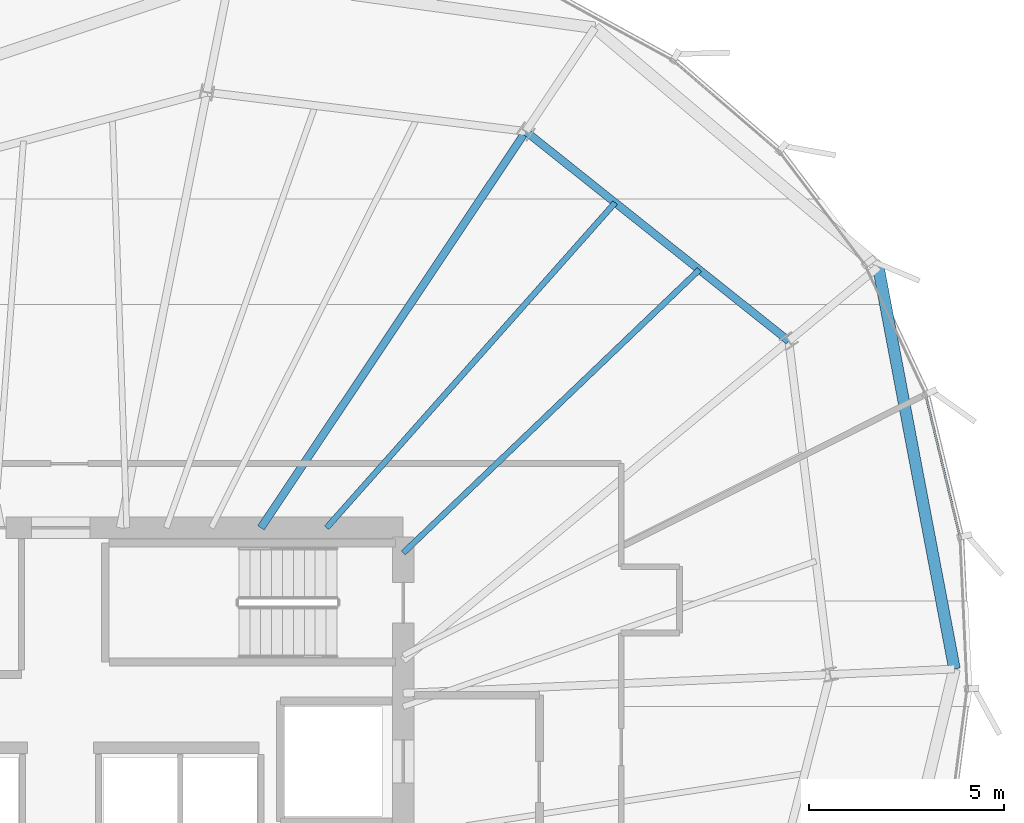
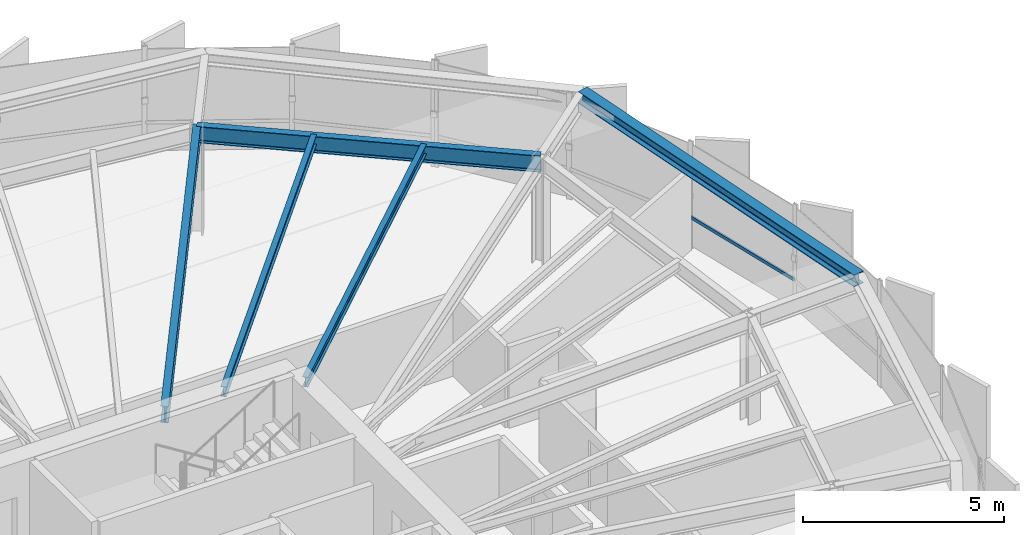
# One storey, part 24 of 34: 5 beams, 1 member, 1 element without a shape of its own.
"""IFC4 building model written with IfcOpenShell, lengths in metres."""

from ifc_helpers import new_model, si_unit, direction, frame, origin, origin_2d, place, context, subcontext, project, spatial, hollow_rectangle, i_section, extrude, source, transform, mapped, material, layer, layer_set, material_profile, profile_set, type_object, element, aggregate, save


model = new_model("IFC4")

# Units and contexts
model_context = context("Model", 3, precision=1e-05, world=origin(), true_north=direction((0.0, 1.0)))
body_context = subcontext(model_context, "Body", "Model", "MODEL_VIEW")
ifc_project = project(units=[si_unit("LENGTHUNIT", "METRE"), si_unit("AREAUNIT", "SQUARE_METRE"), si_unit("VOLUMEUNIT", "CUBIC_METRE"), si_unit("PLANEANGLEUNIT", "RADIAN"), si_unit("MASSUNIT", "GRAM", prefix="KILO"), si_unit("THERMODYNAMICTEMPERATUREUNIT", "KELVIN")], contexts=[model_context])

# Site, building, storey
site_placement = place(None, origin())
site = spatial("IfcSite", under=ifc_project, at=site_placement, CompositionType="ELEMENT")
building_placement = place(site_placement, origin())
building = spatial("IfcBuilding", under=site, at=building_placement, Name="Kethvar Cultural Tower", CompositionType="ELEMENT")
storey_placement = place(building_placement, frame((0.0, 0.0, 207.89990234375)))
storey = spatial("IfcBuildingStorey", under=building, at=storey_placement, Name="L54", CompositionType="ELEMENT", Elevation=207.89990234375)

# Beams
ifc_material_1 = material(Name="Steel S355J2", Category="steel")
ifc_material_profile_1 = material_profile(ifc_material_1, i_section(OverallWidth=0.199951171875, OverallDepth=0.5, WebThickness=0.01025390625, FlangeThickness=0.01611328125, FilletRadius=0.02099609375, at=origin_2d()), Name="Steel S355J2 — IPE500")
ifc_profile_set_1 = profile_set([ifc_material_profile_1], Name="Steel S355J2 — IPE500")
beam_type_1 = type_object("IfcBeamType", Name="BM-IPE500", PredefinedType="BEAM", material=ifc_profile_set_1)
shared_shape_1 = source(origin(), body_context, "Body", "SweptSolid", [
    extrude(i_section(OverallWidth=0.199951171875, OverallDepth=0.5, WebThickness=0.01025390625, FlangeThickness=0.01611328125, FilletRadius=0.02099609375, at=origin_2d()), origin(), (0.0, 0.0, 1.0), 12.2451171875),
])
beam_1_placement = place(storey_placement, frame((51.945068359375, 35.5, 3.008056640625), z_axis=(0.555569492312, 0.831470107227, 0.0), x_axis=(-0.831470107227, 0.555569492312, 0.0)))
element("IfcBeam", 1, at=beam_1_placement, inside=storey, type_object=beam_type_1, Name="L54 Primary Radial Beam RB-03", PredefinedType="BEAM", context=body_context, shape_type="MappedRepresentation", body=[
    mapped(shared_shape_1, transform((0.0, 0.0, 0.0), scale=1.0)),
])
shared_shape_2 = source(origin(), body_context, "Body", "SweptSolid", [
    extrude(i_section(OverallWidth=0.199951171875, OverallDepth=0.5, WebThickness=0.01025390625, FlangeThickness=0.01611328125, FilletRadius=0.02099609375, at=origin_2d()), origin(), (0.0, 0.0, 1.0), 8.638916015625),
])
beam_2_placement = place(storey_placement, frame((65.504150390625, 40.297607421875, 3.008056640625), z_axis=(-0.782058475366, 0.623205055425, 0.0), x_axis=(-0.623205055425, -0.782058475366, 0.0)))
element("IfcBeam", 2, at=beam_2_placement, inside=storey, type_object=beam_type_1, Name="L54 Column Ring Tie Beam CR-02", PredefinedType="BEAM", context=body_context, shape_type="MappedRepresentation", body=[
    mapped(shared_shape_2, transform((0.0, 0.0, 0.0), scale=1.0)),
])
ifc_material_profile_2 = material_profile(ifc_material_1, i_section(OverallWidth=0.14990234375, OverallDepth=0.300048828125, WebThickness=0.007080078125, FlangeThickness=0.0107421875, FilletRadius=0.014892578125, at=origin_2d()), Name="Steel S355J2 — IPE300")
ifc_profile_set_2 = profile_set([ifc_material_profile_2], Name="Steel S355J2 — IPE300")
beam_type_2 = type_object("IfcBeamType", Name="BM-J300", PredefinedType="JOIST", material=ifc_profile_set_2)
shared_shape_3 = source(origin(), body_context, "Body", "SweptSolid", [
    extrude(i_section(OverallWidth=0.14990234375, OverallDepth=0.300048828125, WebThickness=0.007080078125, FlangeThickness=0.0107421875, FilletRadius=0.014892578125, at=origin_2d()), origin(), (0.0, 0.0, 1.0), 10.52783203125),
])
beam_3_placement = place(storey_placement, frame((55.60009765625, 34.85009765625, 3.108154296875), z_axis=(0.722552708299, 0.691315835006, 0.0), x_axis=(-0.691315835006, 0.722552708299, 0.0)))
element("IfcBeam", 3, at=beam_3_placement, inside=storey, type_object=beam_type_2, Name="L54 Composite Floor Joist J-02A", PredefinedType="JOIST", context=body_context, shape_type="MappedRepresentation", body=[
    mapped(shared_shape_3, transform((0.0, 0.0, 0.0), scale=1.0)),
])
shared_shape_4 = source(origin(), body_context, "Body", "SweptSolid", [
    extrude(i_section(OverallWidth=0.14990234375, OverallDepth=0.300048828125, WebThickness=0.007080078125, FlangeThickness=0.0107421875, FilletRadius=0.014892578125, at=origin_2d()), origin(), (0.0, 0.0, 1.0), 11.16552734375),
])
beam_4_placement = place(storey_placement, frame((53.6337890625, 35.5, 3.108154296875), z_axis=(0.663773261048, 0.747933859321, 0.0), x_axis=(-0.747933859321, 0.663773261048, 0.0)))
element("IfcBeam", 4, at=beam_4_placement, inside=storey, type_object=beam_type_2, Name="L54 Composite Floor Joist J-02B", PredefinedType="JOIST", context=body_context, shape_type="MappedRepresentation", body=[
    mapped(shared_shape_4, transform((0.0, 0.0, 0.0), scale=1.0)),
])
ifc_material_profile_3 = material_profile(ifc_material_1, i_section(OverallWidth=0.300048828125, OverallDepth=0.360107421875, WebThickness=0.012451171875, FlangeThickness=0.0224609375, FilletRadius=0.027099609375, at=origin_2d()), Name="Steel S355J2 — HEB360")
ifc_profile_set_3 = profile_set([ifc_material_profile_3], Name="Steel S355J2 — HEB360")
beam_type_3 = type_object("IfcBeamType", Name="BM-SP360", PredefinedType="SPANDREL", material=ifc_profile_set_3)
shared_shape_5 = source(origin(), body_context, "Body", "SweptSolid", [
    extrude(i_section(OverallWidth=0.300048828125, OverallDepth=0.360107421875, WebThickness=0.012451171875, FlangeThickness=0.0224609375, FilletRadius=0.027099609375, at=origin_2d()), origin(), (0.0, 0.0, 1.0), 10.513671875),
])
beam_5_placement = place(storey_placement, frame((69.760986328125, 31.87158203125, 3.078125), z_axis=(-0.186143118518, 0.98252264067, 0.0), x_axis=(-0.98252264067, -0.186143118518, 0.0)))
element("IfcBeam", 5, at=beam_5_placement, inside=storey, type_object=beam_type_3, Name="L54 Perimeter Spandrel Beam SP-01", PredefinedType="SPANDREL", context=body_context, shape_type="MappedRepresentation", body=[
    mapped(shared_shape_5, transform((0.0, 0.0, 0.0), scale=1.0)),
])

# Curtain wall, member
ifc_material_2 = material(Name="Aluminium 6063-T6", Category="aluminium")
ifc_layer = layer(ifc_material_2, 0.179931640625, Name="Aluminium 6063-T6", Category="aluminium")
ifc_layer_set = layer_set([ifc_layer], Name="Aluminium 6063-T6 (180 mm)")
curtain_wall_type = type_object("IfcCurtainWallType", Name="CW-SYS-04-Z34", PredefinedType="NOTDEFINED", material=ifc_layer_set)
curtain_wall_placement = place(storey_placement, origin())
curtain_wall = element("IfcCurtainWall", 6, at=curtain_wall_placement, inside=storey, type_object=curtain_wall_type, Name="L54 Curtain Wall Run 06", PredefinedType="NOTDEFINED")
ifc_material_profile_4 = material_profile(ifc_material_2, hollow_rectangle(XDim=0.050048828125, YDim=0.10009765625, WallThickness=0.00390625, at=origin_2d()), Name="Aluminium 6063-T6 — RHS100x50x4")
ifc_profile_set_4 = profile_set([ifc_material_profile_4], Name="Aluminium 6063-T6 — RHS100x50x4")
member_type = type_object("IfcMemberType", Name="CW-SYS-04-Z34-TRN", PredefinedType="USERDEFINED", material=ifc_profile_set_4)
shared_shape_6 = source(origin(), body_context, "Body", "SweptSolid", [
    extrude(hollow_rectangle(XDim=0.050048828125, YDim=0.10009765625, WallThickness=0.00390625, at=origin_2d()), origin(), (0.0, 0.0, 1.0), 3.70556640625),
])
member_placement = place(storey_placement, frame((69.89111328125, 35.2998046875, 0.9501953125), z_axis=(-0.234621211337, 0.972086872245, 0.0), x_axis=(-0.972086872245, -0.234621211337, 0.0)))
member = element("IfcMember", 7, at=member_placement, type_object=member_type, Name="CW-L54-R06 Transom 4", ObjectType="TRANSOM", PredefinedType="USERDEFINED", context=body_context, shape_type="MappedRepresentation", body=[
    mapped(shared_shape_6, transform((0.0, 0.0, 0.0), scale=1.0)),
])
aggregate(curtain_wall, [member])

save(model, "model.ifc")
